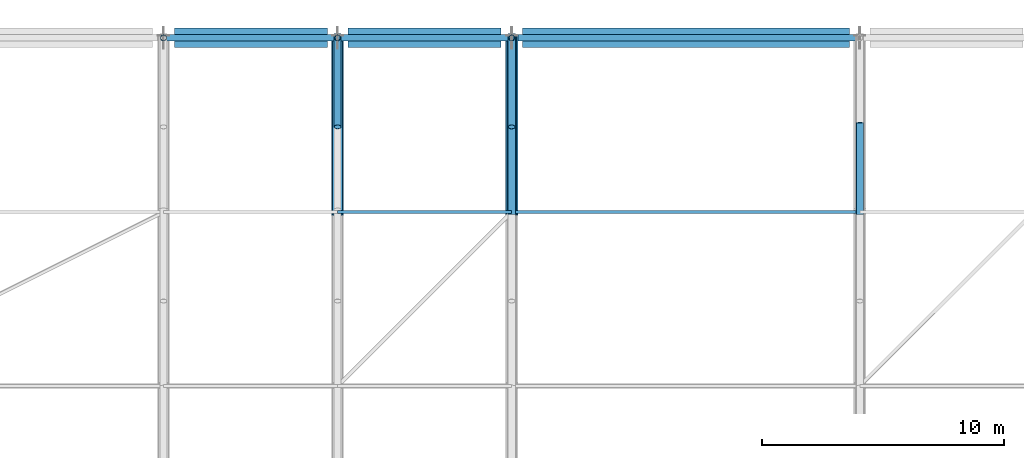
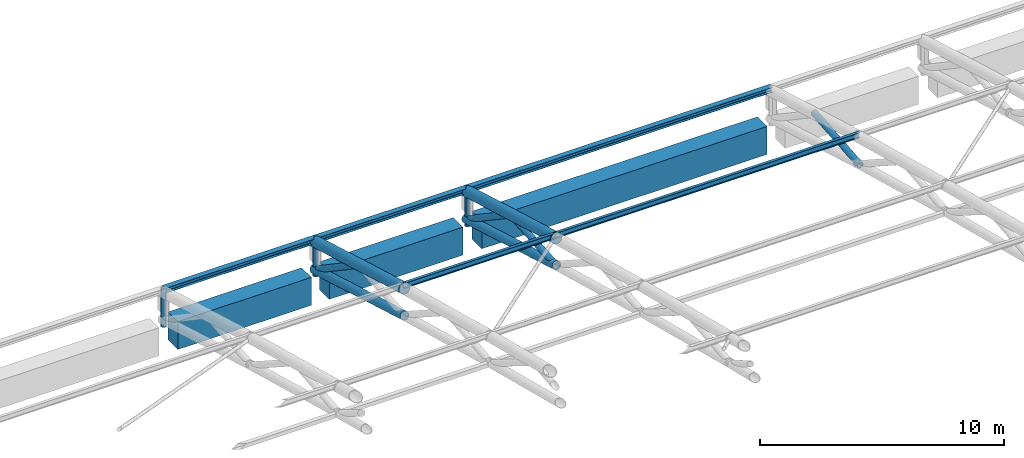
# One storey, part 99 of 193: 16 members, 3 beams.
"""IFC4 building model written with IfcOpenShell, lengths in metres."""

from ifc_helpers import new_model, si_unit, direction, frame, origin, origin_2d, place, context, subcontext, project, spatial, rectangle, hollow_circle, i_section, extrude, material, material_profile, profile_set, type_object, element, save


model = new_model("IFC4")

# Units and contexts
model_context = context("Model", 3, precision=1e-05, world=origin(), true_north=direction((0.0, 1.0)))
body_context = subcontext(model_context, "Body", "Model", "MODEL_VIEW")
ifc_project = project(units=[si_unit("LENGTHUNIT", "METRE"), si_unit("AREAUNIT", "SQUARE_METRE"), si_unit("VOLUMEUNIT", "CUBIC_METRE"), si_unit("PLANEANGLEUNIT", "RADIAN"), si_unit("MASSUNIT", "GRAM", prefix="KILO")], contexts=[model_context])

# Site, building, storey
site_placement = place(None, origin())
site = spatial("IfcSite", under=ifc_project, at=site_placement, CompositionType="ELEMENT")
building_placement = place(site_placement, origin())
building = spatial("IfcBuilding", under=site, at=building_placement, Name="Cendralis Lancet Convention Centre", CompositionType="ELEMENT")
storey_placement = place(building_placement, frame((0.0, 0.0, 10.199951171875)))
storey = spatial("IfcBuildingStorey", under=building, at=storey_placement, Name="L02", CompositionType="ELEMENT", Elevation=10.199951171875)

# Beams
ifc_material_1 = material(Name="Concrete G40 (C40/50)", Category="concrete")
ifc_material_profile_1 = material_profile(ifc_material_1, rectangle(XDim=0.800048828125, YDim=1.39990234375, at=origin_2d()), Name="RCB 800x1400")
ifc_profile_set_1 = profile_set([ifc_material_profile_1], Name="Concrete G40 (C40/50)")
beam_type = type_object("IfcBeamType", Name="STR-BM-BG17", PredefinedType="BEAM", material=ifc_profile_set_1)
for number, where, z_axis, x_axis, name in (
    (1, (36.449951171875, 136.800048828125, 1.5), (1.0, 0.0, 0.0), (0.0, 1.0, 0.0), "L02 Beam BG17 #1327"),
    (2, (43.625, 136.800048828125, 1.5), (1.0, 0.0, 0.0), (0.0, 1.0, 0.0), "L02 Beam BG17 #1328"),
):
    element("IfcBeam", number, at=place(storey_placement, frame(where, z_axis=z_axis, x_axis=x_axis)), inside=storey, type_object=beam_type, Name=name, PredefinedType="BEAM", context=body_context, shape_type="SweptSolid", body=[
        extrude(rectangle(XDim=0.800048828125, YDim=1.39990234375, at=origin_2d()), origin(), (0.0, 0.0, 1.0), 6.324951171875),
    ])
beam_placement = place(storey_placement, frame((50.85009765625, 136.800048828125, 1.5), z_axis=(1.0, 0.0, 0.0), x_axis=(0.0, 1.0, 0.0)))
element("IfcBeam", 3, at=beam_placement, inside=storey, type_object=beam_type, Name="L02 Beam BG17 #1329", PredefinedType="BEAM", context=body_context, shape_type="SweptSolid", body=[
    extrude(rectangle(XDim=0.800048828125, YDim=1.39990234375, at=origin_2d()), origin(), (0.0, 0.0, 1.0), 13.52490234375),
])

# Members
ifc_material_2 = material(Name="Steel S355", Category="steel")
ifc_material_profile_2 = material_profile(ifc_material_2, i_section(OverallWidth=0.135009765625, OverallDepth=0.27001953125, WebThickness=0.006591796875, FlangeThickness=0.01025390625, FilletRadius=0.014892578125, at=origin_2d()), Name="IPE 270")
ifc_profile_set_2 = profile_set([ifc_material_profile_2], Name="Steel S355")
member_type_1 = type_object("IfcMemberType", Name="STR-PR-PR01", PredefinedType="PURLIN", material=ifc_profile_set_2)
member_1_placement = place(storey_placement, frame((43.199951171875, 129.60009765625, 5.771728515625), z_axis=(1.0, 0.0, 0.0), x_axis=(0.0, 1.0, 0.0)))
element("IfcMember", 4, at=member_1_placement, inside=storey, type_object=member_type_1, Name="Vault Roof Purlin PR01 V1-05-11", PredefinedType="PURLIN", context=body_context, shape_type="SweptSolid", body=[
    extrude(i_section(OverallWidth=0.135009765625, OverallDepth=0.27001953125, WebThickness=0.006591796875, FlangeThickness=0.01025390625, FilletRadius=0.014892578125, at=origin_2d()), origin(), (0.0, 0.0, 1.0), 7.199951171875),
])
member_2_placement = place(storey_placement, frame((50.39990234375, 129.60009765625, 5.771728515625), z_axis=(1.0, 0.0, 0.0), x_axis=(0.0, 1.0, 0.0)))
element("IfcMember", 5, at=member_2_placement, inside=storey, type_object=member_type_1, Name="Vault Roof Purlin PR01 V1-06-11", PredefinedType="PURLIN", context=body_context, shape_type="SweptSolid", body=[
    extrude(i_section(OverallWidth=0.135009765625, OverallDepth=0.27001953125, WebThickness=0.006591796875, FlangeThickness=0.01025390625, FilletRadius=0.014892578125, at=origin_2d()), origin(), (0.0, 0.0, 1.0), 14.400146484375),
])
ifc_material_profile_3 = material_profile(ifc_material_2, i_section(OverallWidth=0.260009765625, OverallDepth=0.25, WebThickness=0.007568359375, FlangeThickness=0.012451171875, FilletRadius=0.02392578125, at=origin_2d()), Name="HEA 260")
ifc_profile_set_3 = profile_set([ifc_material_profile_3], Name="Steel S355")
member_type_2 = type_object("IfcMemberType", Name="STR-PR-PR07", PredefinedType="PURLIN", material=ifc_profile_set_3)
for number, where, z_axis, x_axis, name in (
    (6, (36.0, 136.800048828125, 3.72509765625), (1.0, 0.0, 0.0), (0.0, 1.0, 0.0), "Vault Roof Purlin PR07 V1-04-12"),
    (7, (43.199951171875, 136.800048828125, 3.72509765625), (1.0, 0.0, 0.0), (0.0, 1.0, 0.0), "Vault Roof Purlin PR07 V1-05-12"),
):
    element("IfcMember", number, at=place(storey_placement, frame(where, z_axis=z_axis, x_axis=x_axis)), inside=storey, type_object=member_type_2, Name=name, PredefinedType="PURLIN", context=body_context, shape_type="SweptSolid", body=[
        extrude(i_section(OverallWidth=0.260009765625, OverallDepth=0.25, WebThickness=0.007568359375, FlangeThickness=0.012451171875, FilletRadius=0.02392578125, at=origin_2d()), origin(), (0.0, 0.0, 1.0), 7.199951171875),
    ])
member_3_placement = place(storey_placement, frame((50.39990234375, 136.800048828125, 3.72509765625), z_axis=(1.0, 0.0, 0.0), x_axis=(0.0, 1.0, 0.0)))
element("IfcMember", 8, at=member_3_placement, inside=storey, type_object=member_type_2, Name="Vault Roof Purlin PR07 V1-06-12", PredefinedType="PURLIN", context=body_context, shape_type="SweptSolid", body=[
    extrude(i_section(OverallWidth=0.260009765625, OverallDepth=0.25, WebThickness=0.007568359375, FlangeThickness=0.012451171875, FilletRadius=0.02392578125, at=origin_2d()), origin(), (0.0, 0.0, 1.0), 14.400146484375),
])
ifc_material_profile_4 = material_profile(ifc_material_2, hollow_circle(Radius=0.203125, WallThickness=0.01611328125, at=origin_2d()), Name="CHS 406.4x16.0")
ifc_profile_set_4 = profile_set([ifc_material_profile_4], Name="Steel S355")
member_type_3 = type_object("IfcMemberType", Name="STR-TR-BC01-INT", PredefinedType="CHORD", material=ifc_profile_set_4)
for number, where, z_axis, x_axis, name in (
    (9, (43.199951171875, 129.48486328125, 4.32763671875), (0.0, 0.960210680483, -0.279276653315), (-1.0, 0.0, 0.0), "ROOF TRUSS AT-V1-06 Bottom Chord 11"),
    (10, (50.39990234375, 129.48486328125, 4.32763671875), (0.0, 0.960210680483, -0.279276653315), (-1.0, 0.0, 0.0), "ROOF TRUSS AT-V1-07 Bottom Chord 11"),
):
    element("IfcMember", number, at=place(storey_placement, frame(where, z_axis=z_axis, x_axis=x_axis)), inside=storey, type_object=member_type_3, Name=name, PredefinedType="CHORD", context=body_context, shape_type="SweptSolid", body=[
        extrude(hollow_circle(Radius=0.203125, WallThickness=0.01611328125, at=origin_2d()), origin(), (0.0, 0.0, 1.0), 7.73828125),
    ])
ifc_material_profile_5 = material_profile(ifc_material_2, hollow_circle(Radius=0.25390625, WallThickness=0.02001953125, at=origin_2d()), Name="CHS 508.0x20.0")
ifc_profile_set_5 = profile_set([ifc_material_profile_5], Name="Steel S355")
member_type_4 = type_object("IfcMemberType", Name="STR-TR-TC01-INT", PredefinedType="CHORD", material=ifc_profile_set_5)
for number, where, z_axis, x_axis, name in (
    (11, (43.199951171875, 129.484619140625, 5.689697265625), (0.0, 0.961540636093, -0.274662711598), (-1.0, 0.0, 0.0), "ROOF TRUSS AT-V1-06 Top Chord 11"),
    (12, (50.39990234375, 129.484619140625, 5.689697265625), (0.0, 0.961540636093, -0.274662711598), (-1.0, 0.0, 0.0), "ROOF TRUSS AT-V1-07 Top Chord 11"),
):
    element("IfcMember", number, at=place(storey_placement, frame(where, z_axis=z_axis, x_axis=x_axis)), inside=storey, type_object=member_type_4, Name=name, PredefinedType="CHORD", context=body_context, shape_type="SweptSolid", body=[
        extrude(hollow_circle(Radius=0.25390625, WallThickness=0.02001953125, at=origin_2d()), origin(), (0.0, 0.0, 1.0), 7.727783203125),
    ])
ifc_material_profile_6 = material_profile(ifc_material_2, hollow_circle(Radius=0.149169921875, WallThickness=0.012451171875, at=origin_2d()), Name="CHS 298.5x12.5")
ifc_profile_set_6 = profile_set([ifc_material_profile_6], Name="Steel S355")
member_type_5 = type_object("IfcMemberType", Name="STR-TR-WD01-INT", PredefinedType="BRACE", material=ifc_profile_set_6)
member_4_placement = place(storey_placement, frame((43.199951171875, 133.1171875, 4.684326171875), z_axis=(0.0, 0.82900316973, -0.559243904372), x_axis=(-1.0, 0.0, 0.0)))
element("IfcMember", 13, at=member_4_placement, inside=storey, type_object=member_type_5, Name="ROOF TRUSS AT-V1-06 Warren Web 11-1", PredefinedType="BRACE", context=body_context, shape_type="SweptSolid", body=[
    extrude(hollow_circle(Radius=0.149169921875, WallThickness=0.012451171875, at=origin_2d()), origin(), (0.0, 0.0, 1.0), 4.542236328125),
])
member_5_placement = place(storey_placement, frame((50.39990234375, 129.50048828125, 4.284912109375), z_axis=(0.0, 0.995716162115, 0.092462557307), x_axis=(-1.0, 0.0, 0.0)))
element("IfcMember", 14, at=member_5_placement, inside=storey, type_object=member_type_5, Name="ROOF TRUSS AT-V1-07 Warren Web 11-0", PredefinedType="BRACE", context=body_context, shape_type="SweptSolid", body=[
    extrude(hollow_circle(Radius=0.149169921875, WallThickness=0.012451171875, at=origin_2d()), origin(), (0.0, 0.0, 1.0), 3.8154296875),
])
member_6_placement = place(storey_placement, frame((50.39990234375, 133.1171875, 4.684326171875), z_axis=(0.0, 0.82900316973, -0.559243904372), x_axis=(-1.0, 0.0, 0.0)))
element("IfcMember", 15, at=member_6_placement, inside=storey, type_object=member_type_5, Name="ROOF TRUSS AT-V1-07 Warren Web 11-1", PredefinedType="BRACE", context=body_context, shape_type="SweptSolid", body=[
    extrude(hollow_circle(Radius=0.149169921875, WallThickness=0.012451171875, at=origin_2d()), origin(), (0.0, 0.0, 1.0), 4.542236328125),
])
member_7_placement = place(storey_placement, frame((64.800048828125, 129.50048828125, 4.284912109375), z_axis=(0.0, 0.995716162115, 0.092462557307), x_axis=(-1.0, 0.0, 0.0)))
element("IfcMember", 16, at=member_7_placement, inside=storey, type_object=member_type_5, Name="ROOF TRUSS AT-V1-08 Warren Web 11-0", PredefinedType="BRACE", context=body_context, shape_type="SweptSolid", body=[
    extrude(hollow_circle(Radius=0.149169921875, WallThickness=0.012451171875, at=origin_2d()), origin(), (0.0, 0.0, 1.0), 3.8154296875),
])
ifc_material_profile_7 = material_profile(ifc_material_2, hollow_circle(Radius=0.122314453125, WallThickness=0.010009765625, at=origin_2d()), Name="CHS 244.5x10.0")
ifc_profile_set_7 = profile_set([ifc_material_profile_7], Name="Steel S355")
member_type_6 = type_object("IfcMemberType", Name="STR-TR-WV01-INT", PredefinedType="POST", material=ifc_profile_set_7)
for number, where, z_axis, x_axis, name in (
    (17, (36.0, 136.800048828125, 1.900146484375), (0.0, 0.0, 1.0), (1.0, 0.0, 0.0), "ROOF TRUSS AT-V1-05 Springing Post N12"),
    (18, (43.199951171875, 136.800048828125, 1.900146484375), (0.0, 0.0, 1.0), (1.0, 0.0, 0.0), "ROOF TRUSS AT-V1-06 Springing Post N12"),
    (19, (50.39990234375, 136.800048828125, 1.900146484375), (0.0, 0.0, 1.0), (1.0, 0.0, 0.0), "ROOF TRUSS AT-V1-07 Springing Post N12"),
):
    element("IfcMember", number, at=place(storey_placement, frame(where, z_axis=z_axis, x_axis=x_axis)), inside=storey, type_object=member_type_6, Name=name, PredefinedType="POST", context=body_context, shape_type="SweptSolid", body=[
        extrude(hollow_circle(Radius=0.122314453125, WallThickness=0.010009765625, at=origin_2d()), origin(), (0.0, 0.0, 1.0), 1.919921875),
    ])

save(model, "model.ifc")
